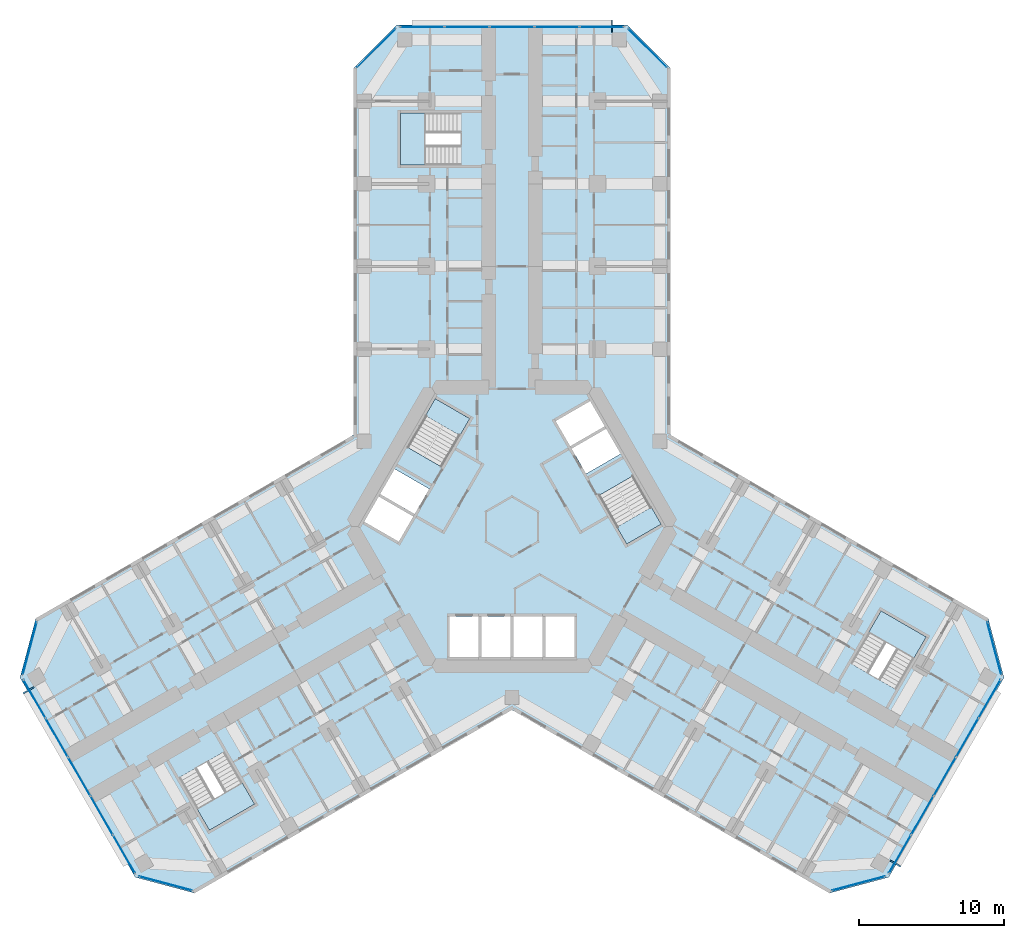
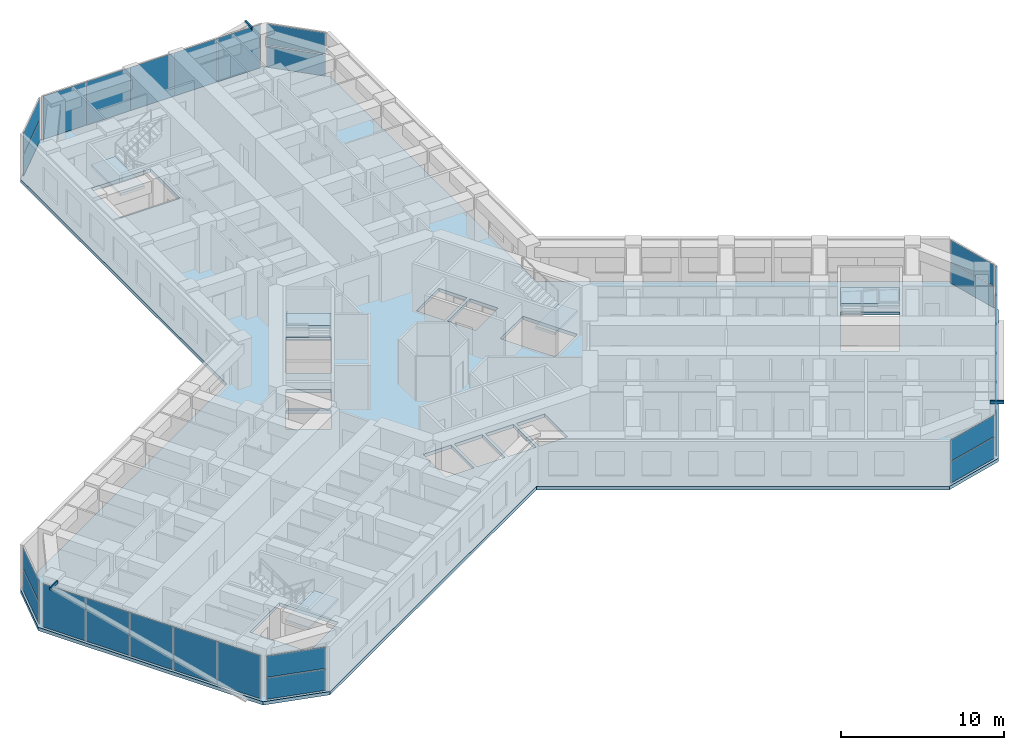
# One storey, part 9 of 21: 27 plates, 6 slabs, 3 members, 14 elements without a shape of their own.
"""IFC4 building model written with IfcOpenShell, lengths in metres."""

from ifc_helpers import new_model, si_unit, direction, frame, origin, origin_2d, place, context, subcontext, project, spatial, polyline, rectangle, hollow_rectangle, outline, extrude, material, layer, layer_set, material_profile, profile_set, type_object, element, aggregate, save


model = new_model("IFC4")

# Units and contexts
model_context = context("Model", 3, precision=1e-05, world=origin(), true_north=direction((0.0, 1.0)))
body_context = subcontext(model_context, "Body", "Model", "MODEL_VIEW")
ifc_project = project(units=[si_unit("LENGTHUNIT", "METRE"), si_unit("AREAUNIT", "SQUARE_METRE"), si_unit("VOLUMEUNIT", "CUBIC_METRE"), si_unit("PLANEANGLEUNIT", "RADIAN"), si_unit("MASSUNIT", "GRAM", prefix="KILO")], contexts=[model_context])

# Site, building, storey
site_placement = place(None, origin())
site = spatial("IfcSite", under=ifc_project, at=site_placement, CompositionType="ELEMENT")
building_placement = place(site_placement, origin())
building = spatial("IfcBuilding", under=site, at=building_placement, Name="Kosmar Iwan School Tower", CompositionType="ELEMENT")
storey_placement = place(building_placement, frame((0.0, 0.0, 57.39990234375)))
storey = spatial("IfcBuildingStorey", under=building, at=storey_placement, Name="L13", CompositionType="ELEMENT", Elevation=57.39990234375)

# Members
ifc_material_1 = material(Name="Steel S355", Category="steel")
ifc_material_profile = material_profile(ifc_material_1, hollow_rectangle(XDim=0.10009765625, YDim=0.199951171875, WallThickness=0.008056640625, at=origin_2d()), Name="RHS 200x100x8")
ifc_profile_set = profile_set([ifc_material_profile], Name="Steel S355")
member_type = type_object("IfcMemberType", Name="Fin bracket RHS 200x100", PredefinedType="USERDEFINED", material=ifc_profile_set)
member_1_placement = place(storey_placement, frame((26.08154296875, -23.025634765625, 3.47509765625), z_axis=(0.865989465428, -0.500062241894, 0.0), x_axis=(0.500062241894, 0.865989465428, 0.0)))
element("IfcMember", 1, at=member_1_placement, inside=storey, type_object=member_type, Name="Fin bracket L14", ObjectType="FIN BRACKET", PredefinedType="USERDEFINED", context=body_context, shape_type="SweptSolid", body=[
    extrude(hollow_rectangle(XDim=0.10009765625, YDim=0.199951171875, WallThickness=0.008056640625, at=origin_2d()), origin(), (0.0, 0.0, 1.0), 0.85009765625),
])
member_2_placement = place(storey_placement, frame((6.89990234375, 34.10009765625, 3.47509765625), z_axis=(0.0, 1.0, 0.0), x_axis=(-1.0, 0.0, 0.0)))
element("IfcMember", 2, at=member_2_placement, inside=storey, type_object=member_type, Name="Fin bracket L14", ObjectType="FIN BRACKET", PredefinedType="USERDEFINED", context=body_context, shape_type="SweptSolid", body=[
    extrude(hollow_rectangle(XDim=0.10009765625, YDim=0.199951171875, WallThickness=0.008056640625, at=origin_2d()), origin(), (0.0, 0.0, 1.0), 0.849853515625),
])
member_3_placement = place(storey_placement, frame((-32.9814453125, -11.074462890625, 3.47509765625), z_axis=(-0.865989465428, -0.500062241894, 0.0), x_axis=(0.500062241894, -0.865989465428, 0.0)))
element("IfcMember", 3, at=member_3_placement, inside=storey, type_object=member_type, Name="Fin bracket L14", ObjectType="FIN BRACKET", PredefinedType="USERDEFINED", context=body_context, shape_type="SweptSolid", body=[
    extrude(hollow_rectangle(XDim=0.10009765625, YDim=0.199951171875, WallThickness=0.008056640625, at=origin_2d()), origin(), (0.0, 0.0, 1.0), 0.85009765625),
])

# Curtain wall, plates
ifc_material_2 = material(Name="Dark glass in black aluminium frame", Category="aluminium")
curtain_wall_type_1 = type_object("IfcCurtainWallType", Name="Chamfer curtain wall dark glass", PredefinedType="USERDEFINED", material=ifc_material_2)
curtain_wall_1_placement = place(storey_placement, origin())
curtain_wall_1 = element("IfcCurtainWall", 4, at=curtain_wall_1_placement, inside=storey, type_object=curtain_wall_type_1, Name="Curtain wall L13-F02", ObjectType="FACETED CURTAIN WALL", PredefinedType="USERDEFINED")
ifc_material_3 = material(Name="Dark glass", Category="glass")
ifc_layer_1 = layer(ifc_material_3, 0.028076171875)
ifc_layer_set_1 = layer_set([ifc_layer_1], Name="Dark glass panel 28")
plate_type = type_object("IfcPlateType", Name="Dark glass panel 28", PredefinedType="CURTAIN_PANEL", material=ifc_layer_set_1)
plate_1_placement = place(storey_placement, frame((23.908203125, -24.61328125, 0.06005859375), z_axis=(0.0, 0.0, 1.0), x_axis=(0.965925875495, 0.258818861462, 0.0)))
plate_1 = element("IfcPlate", 5, at=plate_1_placement, type_object=plate_type, Name="CW2 panel 1.1", PredefinedType="CURTAIN_PANEL", context=body_context, shape_type="SweptSolid", body=[
    extrude(rectangle(XDim=3.718994140625, YDim=0.028076171875, at=origin_2d()), origin(), (0.0, 0.0, 1.0), 1.5849609375),
])
plate_2_placement = place(storey_placement, frame((23.908203125, -24.61328125, 1.705078125), z_axis=(0.0, 0.0, 1.0), x_axis=(0.965925875495, 0.258818861462, 0.0)))
plate_2 = element("IfcPlate", 6, at=plate_2_placement, type_object=plate_type, Name="CW2 panel 1.2", PredefinedType="CURTAIN_PANEL", context=body_context, shape_type="SweptSolid", body=[
    extrude(rectangle(XDim=3.718994140625, YDim=0.028076171875, at=origin_2d()), origin(), (0.0, 0.0, 1.0), 1.5849609375),
])
aggregate(curtain_wall_1, [plate_1, plate_2])

ifc_material_4 = material(Name="Dark glass in black aluminium frame", Category="aluminium")
curtain_wall_type_2 = type_object("IfcCurtainWallType", Name="Tower curtain wall dark glass", PredefinedType="USERDEFINED", material=ifc_material_4)
curtain_wall_2_placement = place(storey_placement, origin())
curtain_wall_2 = element("IfcCurtainWall", 7, at=curtain_wall_2_placement, inside=storey, type_object=curtain_wall_type_2, Name="Curtain wall L13-F03", ObjectType="UNITISED CURTAIN WALL", PredefinedType="USERDEFINED")
plate_3_placement = place(storey_placement, frame((26.764404296875, -22.592529296875, 0.06005859375), z_axis=(0.0, 0.0, 1.0), x_axis=(0.499999997325, 0.866025405329, 0.0)))
plate_3 = element("IfcPlate", 8, at=plate_3_placement, type_object=plate_type, Name="CW1 panel 1.1", PredefinedType="CURTAIN_PANEL", context=body_context, shape_type="SweptSolid", body=[
    extrude(rectangle(XDim=3.00927734375, YDim=0.028076171875, at=origin_2d()), origin(), (0.0, 0.0, 1.0), 3.22998046875),
])
plate_4_placement = place(storey_placement, frame((28.306640625, -19.921630859375, 0.06005859375), z_axis=(0.0, 0.0, 1.0), x_axis=(0.499999997325, 0.866025405329, 0.0)))
plate_4 = element("IfcPlate", 9, at=plate_4_placement, type_object=plate_type, Name="CW1 panel 2.1", PredefinedType="CURTAIN_PANEL", context=body_context, shape_type="SweptSolid", body=[
    extrude(rectangle(XDim=3.039306640625, YDim=0.028076171875, at=origin_2d()), origin(), (0.0, 0.0, 1.0), 3.22998046875),
])
plate_5_placement = place(storey_placement, frame((29.856201171875, -17.237548828125, 0.06005859375), z_axis=(0.0, 0.0, 1.0), x_axis=(0.499999997325, 0.866025405329, 0.0)))
plate_5 = element("IfcPlate", 10, at=plate_5_placement, type_object=plate_type, Name="CW1 panel 3.1", PredefinedType="CURTAIN_PANEL", context=body_context, shape_type="SweptSolid", body=[
    extrude(rectangle(XDim=3.039306640625, YDim=0.028076171875, at=origin_2d()), origin(), (0.0, 0.0, 1.0), 3.22998046875),
])
plate_6_placement = place(storey_placement, frame((31.40576171875, -14.553466796875, 0.06005859375), z_axis=(0.0, 0.0, 1.0), x_axis=(0.499999997325, 0.866025405329, 0.0)))
plate_6 = element("IfcPlate", 11, at=plate_6_placement, type_object=plate_type, Name="CW1 panel 4.1", PredefinedType="CURTAIN_PANEL", context=body_context, shape_type="SweptSolid", body=[
    extrude(rectangle(XDim=3.039306640625, YDim=0.028076171875, at=origin_2d()), origin(), (0.0, 0.0, 1.0), 3.22998046875),
])
plate_7_placement = place(storey_placement, frame((32.947998046875, -11.88232421875, 0.06005859375), z_axis=(0.0, 0.0, 1.0), x_axis=(0.499999997325, 0.866025405329, 0.0)))
plate_7 = element("IfcPlate", 12, at=plate_7_placement, type_object=plate_type, Name="CW1 panel 5.1", PredefinedType="CURTAIN_PANEL", context=body_context, shape_type="SweptSolid", body=[
    extrude(rectangle(XDim=3.00927734375, YDim=0.028076171875, at=origin_2d()), origin(), (0.0, 0.0, 1.0), 3.22998046875),
])
aggregate(curtain_wall_2, [plate_3, plate_4, plate_5, plate_6, plate_7])

curtain_wall_3_placement = place(storey_placement, origin())
curtain_wall_3 = element("IfcCurtainWall", 13, at=curtain_wall_3_placement, inside=storey, type_object=curtain_wall_type_1, Name="Curtain wall L13-F04", ObjectType="FACETED CURTAIN WALL", PredefinedType="USERDEFINED")
plate_8_placement = place(storey_placement, frame((33.269775390625, -8.3984375, 0.06005859375), z_axis=(0.0, 0.0, 1.0), x_axis=(-0.258818861462, 0.965925875495, 0.0)))
plate_8 = element("IfcPlate", 14, at=plate_8_placement, type_object=plate_type, Name="CW2 panel 1.1", PredefinedType="CURTAIN_PANEL", context=body_context, shape_type="SweptSolid", body=[
    extrude(rectangle(XDim=3.718994140625, YDim=0.028076171875, at=origin_2d()), origin(), (0.0, 0.0, 1.0), 1.5849609375),
])
plate_9_placement = place(storey_placement, frame((33.269775390625, -8.3984375, 1.705078125), z_axis=(0.0, 0.0, 1.0), x_axis=(-0.258818861462, 0.965925875495, 0.0)))
plate_9 = element("IfcPlate", 15, at=plate_9_placement, type_object=plate_type, Name="CW2 panel 1.2", PredefinedType="CURTAIN_PANEL", context=body_context, shape_type="SweptSolid", body=[
    extrude(rectangle(XDim=3.718994140625, YDim=0.028076171875, at=origin_2d()), origin(), (0.0, 0.0, 1.0), 1.5849609375),
])
aggregate(curtain_wall_3, [plate_8, plate_9])

curtain_wall_4_placement = place(storey_placement, origin())
curtain_wall_4 = element("IfcCurtainWall", 16, at=curtain_wall_4_placement, inside=storey, type_object=curtain_wall_type_1, Name="Curtain wall L13-F07", ObjectType="FACETED CURTAIN WALL", PredefinedType="USERDEFINED")
plate_10_placement = place(storey_placement, frame((9.361572265625, 33.01171875, 0.06005859375), z_axis=(0.0, 0.0, 1.0), x_axis=(-0.707106781187, 0.707106781187, 0.0)))
plate_10 = element("IfcPlate", 17, at=plate_10_placement, type_object=plate_type, Name="CW2 panel 1.1", PredefinedType="CURTAIN_PANEL", context=body_context, shape_type="SweptSolid", body=[
    extrude(rectangle(XDim=3.718994140625, YDim=0.028076171875, at=origin_2d()), origin(), (0.0, 0.0, 1.0), 1.5849609375),
])
plate_11_placement = place(storey_placement, frame((9.361572265625, 33.01171875, 1.705078125), z_axis=(0.0, 0.0, 1.0), x_axis=(-0.707106781187, 0.707106781187, 0.0)))
plate_11 = element("IfcPlate", 18, at=plate_11_placement, type_object=plate_type, Name="CW2 panel 1.2", PredefinedType="CURTAIN_PANEL", context=body_context, shape_type="SweptSolid", body=[
    extrude(rectangle(XDim=3.718994140625, YDim=0.028076171875, at=origin_2d()), origin(), (0.0, 0.0, 1.0), 1.5849609375),
])
aggregate(curtain_wall_4, [plate_10, plate_11])

curtain_wall_5_placement = place(storey_placement, origin())
curtain_wall_5 = element("IfcCurtainWall", 19, at=curtain_wall_5_placement, inside=storey, type_object=curtain_wall_type_2, Name="Curtain wall L13-F08", ObjectType="UNITISED CURTAIN WALL", PredefinedType="USERDEFINED")
plate_12_placement = place(storey_placement, frame((6.18359375, 34.47509765625, 0.06005859375), z_axis=(0.0, 0.0, 1.0), x_axis=(-1.0, 0.0, 0.0)))
plate_12 = element("IfcPlate", 20, at=plate_12_placement, type_object=plate_type, Name="CW1 panel 1.1", PredefinedType="CURTAIN_PANEL", context=body_context, shape_type="SweptSolid", body=[
    extrude(rectangle(XDim=3.00927734375, YDim=0.028076171875, at=origin_2d()), origin(), (0.0, 0.0, 1.0), 3.22998046875),
])
plate_13_placement = place(storey_placement, frame((3.099365234375, 34.47509765625, 0.06005859375), z_axis=(0.0, 0.0, 1.0), x_axis=(-1.0, 0.0, 0.0)))
plate_13 = element("IfcPlate", 21, at=plate_13_placement, type_object=plate_type, Name="CW1 panel 2.1", PredefinedType="CURTAIN_PANEL", context=body_context, shape_type="SweptSolid", body=[
    extrude(rectangle(XDim=3.039306640625, YDim=0.028076171875, at=origin_2d()), origin(), (0.0, 0.0, 1.0), 3.22998046875),
])
plate_14_placement = place(storey_placement, frame((0.0, 34.47509765625, 0.06005859375), z_axis=(0.0, 0.0, 1.0), x_axis=(-1.0, 0.0, 0.0)))
plate_14 = element("IfcPlate", 22, at=plate_14_placement, type_object=plate_type, Name="CW1 panel 3.1", PredefinedType="CURTAIN_PANEL", context=body_context, shape_type="SweptSolid", body=[
    extrude(rectangle(XDim=3.039306640625, YDim=0.028076171875, at=origin_2d()), origin(), (0.0, 0.0, 1.0), 3.22998046875),
])
plate_15_placement = place(storey_placement, frame((-3.099365234375, 34.47509765625, 0.06005859375), z_axis=(0.0, 0.0, 1.0), x_axis=(-1.0, 0.0, 0.0)))
plate_15 = element("IfcPlate", 23, at=plate_15_placement, type_object=plate_type, Name="CW1 panel 4.1", PredefinedType="CURTAIN_PANEL", context=body_context, shape_type="SweptSolid", body=[
    extrude(rectangle(XDim=3.039306640625, YDim=0.028076171875, at=origin_2d()), origin(), (0.0, 0.0, 1.0), 3.22998046875),
])
plate_16_placement = place(storey_placement, frame((-6.18359375, 34.47509765625, 0.06005859375), z_axis=(0.0, 0.0, 1.0), x_axis=(-1.0, 0.0, 0.0)))
plate_16 = element("IfcPlate", 24, at=plate_16_placement, type_object=plate_type, Name="CW1 panel 5.1", PredefinedType="CURTAIN_PANEL", context=body_context, shape_type="SweptSolid", body=[
    extrude(rectangle(XDim=3.00927734375, YDim=0.028076171875, at=origin_2d()), origin(), (0.0, 0.0, 1.0), 3.22998046875),
])
aggregate(curtain_wall_5, [plate_12, plate_13, plate_14, plate_15, plate_16])

curtain_wall_6_placement = place(storey_placement, origin())
curtain_wall_6 = element("IfcCurtainWall", 25, at=curtain_wall_6_placement, inside=storey, type_object=curtain_wall_type_1, Name="Curtain wall L13-F09", ObjectType="FACETED CURTAIN WALL", PredefinedType="USERDEFINED")
plate_17_placement = place(storey_placement, frame((-9.361572265625, 33.01171875, 0.06005859375), z_axis=(0.0, 0.0, 1.0), x_axis=(-0.707106781187, -0.707106781187, 0.0)))
plate_17 = element("IfcPlate", 26, at=plate_17_placement, type_object=plate_type, Name="CW2 panel 1.1", PredefinedType="CURTAIN_PANEL", context=body_context, shape_type="SweptSolid", body=[
    extrude(rectangle(XDim=3.718994140625, YDim=0.028076171875, at=origin_2d()), origin(), (0.0, 0.0, 1.0), 1.5849609375),
])
plate_18_placement = place(storey_placement, frame((-9.361572265625, 33.01171875, 1.705078125), z_axis=(0.0, 0.0, 1.0), x_axis=(-0.707106781187, -0.707106781187, 0.0)))
plate_18 = element("IfcPlate", 27, at=plate_18_placement, type_object=plate_type, Name="CW2 panel 1.2", PredefinedType="CURTAIN_PANEL", context=body_context, shape_type="SweptSolid", body=[
    extrude(rectangle(XDim=3.718994140625, YDim=0.028076171875, at=origin_2d()), origin(), (0.0, 0.0, 1.0), 1.5849609375),
])
aggregate(curtain_wall_6, [plate_17, plate_18])

curtain_wall_7_placement = place(storey_placement, origin())
curtain_wall_7 = element("IfcCurtainWall", 28, at=curtain_wall_7_placement, inside=storey, type_object=curtain_wall_type_1, Name="Curtain wall L13-F12", ObjectType="FACETED CURTAIN WALL", PredefinedType="USERDEFINED")
plate_19_placement = place(storey_placement, frame((-33.269775390625, -8.3984375, 0.06005859375), z_axis=(0.0, 0.0, 1.0), x_axis=(-0.258818861462, -0.965925875495, 0.0)))
plate_19 = element("IfcPlate", 29, at=plate_19_placement, type_object=plate_type, Name="CW2 panel 1.1", PredefinedType="CURTAIN_PANEL", context=body_context, shape_type="SweptSolid", body=[
    extrude(rectangle(XDim=3.718994140625, YDim=0.028076171875, at=origin_2d()), origin(), (0.0, 0.0, 1.0), 1.5849609375),
])
plate_20_placement = place(storey_placement, frame((-33.269775390625, -8.3984375, 1.705078125), z_axis=(0.0, 0.0, 1.0), x_axis=(-0.258818861462, -0.965925875495, 0.0)))
plate_20 = element("IfcPlate", 30, at=plate_20_placement, type_object=plate_type, Name="CW2 panel 1.2", PredefinedType="CURTAIN_PANEL", context=body_context, shape_type="SweptSolid", body=[
    extrude(rectangle(XDim=3.718994140625, YDim=0.028076171875, at=origin_2d()), origin(), (0.0, 0.0, 1.0), 1.5849609375),
])
aggregate(curtain_wall_7, [plate_19, plate_20])

curtain_wall_8_placement = place(storey_placement, origin())
curtain_wall_8 = element("IfcCurtainWall", 31, at=curtain_wall_8_placement, inside=storey, type_object=curtain_wall_type_2, Name="Curtain wall L13-F13", ObjectType="UNITISED CURTAIN WALL", PredefinedType="USERDEFINED")
plate_21_placement = place(storey_placement, frame((-32.947998046875, -11.88232421875, 0.06005859375), z_axis=(0.0, 0.0, 1.0), x_axis=(0.499999997325, -0.866025405329, 0.0)))
plate_21 = element("IfcPlate", 32, at=plate_21_placement, type_object=plate_type, Name="CW1 panel 1.1", PredefinedType="CURTAIN_PANEL", context=body_context, shape_type="SweptSolid", body=[
    extrude(rectangle(XDim=3.00927734375, YDim=0.028076171875, at=origin_2d()), origin(), (0.0, 0.0, 1.0), 3.22998046875),
])
plate_22_placement = place(storey_placement, frame((-31.40576171875, -14.553466796875, 0.06005859375), z_axis=(0.0, 0.0, 1.0), x_axis=(0.499999997325, -0.866025405329, 0.0)))
plate_22 = element("IfcPlate", 33, at=plate_22_placement, type_object=plate_type, Name="CW1 panel 2.1", PredefinedType="CURTAIN_PANEL", context=body_context, shape_type="SweptSolid", body=[
    extrude(rectangle(XDim=3.039306640625, YDim=0.028076171875, at=origin_2d()), origin(), (0.0, 0.0, 1.0), 3.22998046875),
])
plate_23_placement = place(storey_placement, frame((-29.856201171875, -17.237548828125, 0.06005859375), z_axis=(0.0, 0.0, 1.0), x_axis=(0.499999997325, -0.866025405329, 0.0)))
plate_23 = element("IfcPlate", 34, at=plate_23_placement, type_object=plate_type, Name="CW1 panel 3.1", PredefinedType="CURTAIN_PANEL", context=body_context, shape_type="SweptSolid", body=[
    extrude(rectangle(XDim=3.039306640625, YDim=0.028076171875, at=origin_2d()), origin(), (0.0, 0.0, 1.0), 3.22998046875),
])
plate_24_placement = place(storey_placement, frame((-28.306640625, -19.921630859375, 0.06005859375), z_axis=(0.0, 0.0, 1.0), x_axis=(0.499999997325, -0.866025405329, 0.0)))
plate_24 = element("IfcPlate", 35, at=plate_24_placement, type_object=plate_type, Name="CW1 panel 4.1", PredefinedType="CURTAIN_PANEL", context=body_context, shape_type="SweptSolid", body=[
    extrude(rectangle(XDim=3.039306640625, YDim=0.028076171875, at=origin_2d()), origin(), (0.0, 0.0, 1.0), 3.22998046875),
])
plate_25_placement = place(storey_placement, frame((-26.764404296875, -22.592529296875, 0.06005859375), z_axis=(0.0, 0.0, 1.0), x_axis=(0.499999997325, -0.866025405329, 0.0)))
plate_25 = element("IfcPlate", 36, at=plate_25_placement, type_object=plate_type, Name="CW1 panel 5.1", PredefinedType="CURTAIN_PANEL", context=body_context, shape_type="SweptSolid", body=[
    extrude(rectangle(XDim=3.00927734375, YDim=0.028076171875, at=origin_2d()), origin(), (0.0, 0.0, 1.0), 3.22998046875),
])
aggregate(curtain_wall_8, [plate_21, plate_22, plate_23, plate_24, plate_25])

curtain_wall_9_placement = place(storey_placement, origin())
curtain_wall_9 = element("IfcCurtainWall", 37, at=curtain_wall_9_placement, inside=storey, type_object=curtain_wall_type_1, Name="Curtain wall L13-F14", ObjectType="FACETED CURTAIN WALL", PredefinedType="USERDEFINED")
plate_26_placement = place(storey_placement, frame((-23.908203125, -24.61328125, 0.06005859375), z_axis=(0.0, 0.0, 1.0), x_axis=(0.965925875495, -0.258818861462, 0.0)))
plate_26 = element("IfcPlate", 38, at=plate_26_placement, type_object=plate_type, Name="CW2 panel 1.1", PredefinedType="CURTAIN_PANEL", context=body_context, shape_type="SweptSolid", body=[
    extrude(rectangle(XDim=3.718994140625, YDim=0.028076171875, at=origin_2d()), origin(), (0.0, 0.0, 1.0), 1.5849609375),
])
plate_27_placement = place(storey_placement, frame((-23.908203125, -24.61328125, 1.705078125), z_axis=(0.0, 0.0, 1.0), x_axis=(0.965925875495, -0.258818861462, 0.0)))
plate_27 = element("IfcPlate", 39, at=plate_27_placement, type_object=plate_type, Name="CW2 panel 1.2", PredefinedType="CURTAIN_PANEL", context=body_context, shape_type="SweptSolid", body=[
    extrude(rectangle(XDim=3.718994140625, YDim=0.028076171875, at=origin_2d()), origin(), (0.0, 0.0, 1.0), 1.5849609375),
])
aggregate(curtain_wall_9, [plate_26, plate_27])

# Stair, slab
ifc_material_5 = material(Name="Concrete C35/45", Category="concrete")
stair_type_1 = type_object("IfcStairType", Name="Escape stair 3600", PredefinedType="HALF_TURN_STAIR", material=ifc_material_5)
stair_1_placement = place(storey_placement, origin())
stair_1 = element("IfcStair", 40, at=stair_1_placement, inside=storey, type_object=stair_type_1, Name="Stair WS1 L13", PredefinedType="HALF_TURN_STAIR")
ifc_material_6 = material(Name="Concrete C35/45", Category="concrete")
ifc_layer_2 = layer(ifc_material_6, 0.199951171875)
ifc_layer_set_2 = layer_set([ifc_layer_2], Name="Escape stair landing 200")
slab_type_1 = type_object("IfcSlabType", Name="Escape stair landing 200", PredefinedType="LANDING", material=ifc_layer_set_2)
slab_1_placement = place(storey_placement, frame((0.0, 0.0, 1.60009765625)))
slab_1 = element("IfcSlab", 41, at=slab_1_placement, type_object=slab_type_1, Name="WS1 landing 1", PredefinedType="LANDING", context=body_context, shape_type="SweptSolid", body=[
    extrude(outline(polyline([(-6.0, 24.949951171875), (-6.0, 28.550048828125), (-7.699951171875, 28.550048828125), (-7.699951171875, 24.949951171875), (-6.0, 24.949951171875)])), origin(), (0.0, 0.0, 1.0), 0.199951171875),
])
aggregate(stair_1, [slab_1])

stair_2_placement = place(storey_placement, origin())
stair_2 = element("IfcStair", 42, at=stair_2_placement, inside=storey, type_object=stair_type_1, Name="Stair WS2 L13", PredefinedType="HALF_TURN_STAIR")
slab_2_placement = place(storey_placement, frame((0.0, 0.0, 1.60009765625)))
slab_2 = element("IfcSlab", 43, at=slab_2_placement, type_object=slab_type_1, Name="WS2 landing 1", PredefinedType="LANDING", context=body_context, shape_type="SweptSolid", body=[
    extrude(outline(polyline([(-18.607421875, -17.671142578125), (-21.72509765625, -19.47119140625), (-20.875, -20.943359375), (-17.75732421875, -19.143310546875), (-18.607421875, -17.671142578125)])), origin(), (0.0, 0.0, 1.0), 0.199951171875),
])
aggregate(stair_2, [slab_2])

stair_3_placement = place(storey_placement, origin())
stair_3 = element("IfcStair", 44, at=stair_3_placement, inside=storey, type_object=stair_type_1, Name="Stair WS3 L13", PredefinedType="HALF_TURN_STAIR")
slab_3_placement = place(storey_placement, frame((0.0, 0.0, 1.60009765625)))
slab_3 = element("IfcSlab", 45, at=slab_3_placement, type_object=slab_type_1, Name="WS3 landing 1", PredefinedType="LANDING", context=body_context, shape_type="SweptSolid", body=[
    extrude(outline(polyline([(24.607421875, -7.27880859375), (27.72509765625, -9.078857421875), (28.574951171875, -7.606689453125), (25.457275390625, -5.806640625), (24.607421875, -7.27880859375)])), origin(), (0.0, 0.0, 1.0), 0.199951171875),
])
aggregate(stair_3, [slab_3])

# Slab
ifc_material_7 = material(Name="Concrete C35/45", Category="concrete")
ifc_layer_3 = layer(ifc_material_7, 0.25)
ifc_layer_set_3 = layer_set([ifc_layer_3], Name="Floor slab 250")
slab_type_2 = type_object("IfcSlabType", Name="Floor slab 250", PredefinedType="FLOOR", material=ifc_layer_set_3)
slab_4_placement = place(storey_placement, frame((0.0, 0.0, -0.25)))
element("IfcSlab", 46, at=slab_4_placement, inside=storey, type_object=slab_type_2, Name="L13 floor slab", PredefinedType="FLOOR", context=body_context, shape_type="SweptSolid", body=[
    extrude(outline(polyline([(-21.891357421875, -25.282958984375), (0.0, -12.64404296875), (21.891357421875, -25.282958984375), (25.989501953125, -24.184814453125), (33.939453125, -10.4150390625), (32.84130859375, -6.317138671875), (10.949951171875, 6.322021484375), (10.949951171875, 31.60009765625), (7.949951171875, 34.60009765625), (-7.949951171875, 34.60009765625), (-10.949951171875, 31.60009765625), (-10.949951171875, 6.322021484375), (-32.84130859375, -6.317138671875), (-33.939453125, -10.4150390625), (-25.989501953125, -24.184814453125), (-21.891357421875, -25.282958984375)]), holes=[polyline([(7.91259765625, -1.205078125), (10.294189453125, 0.169921875), (8.3642578125, 3.5126953125), (5.982666015625, 2.1376953125), (7.91259765625, -1.205078125)]), polyline([(-2.91259765625, 7.455078125), (-5.294189453125, 8.830078125), (-7.22412109375, 5.4873046875), (-4.8427734375, 4.1123046875), (-2.91259765625, 7.455078125)]), polyline([(-5.712646484375, 2.60546875), (-8.09423828125, 3.98046875), (-9.09423828125, 2.248291015625), (-6.712646484375, 0.873291015625), (-5.712646484375, 2.60546875)]), polyline([(-6.812744140625, 0.7001953125), (-9.1943359375, 2.0751953125), (-10.1943359375, 0.343017578125), (-7.812744140625, -1.031982421875), (-6.812744140625, 0.7001953125)]), polyline([(5.112548828125, 3.64453125), (7.494140625, 5.01953125), (6.494140625, 6.751708984375), (4.112548828125, 5.376708984375), (5.112548828125, 3.64453125)]), polyline([(4.0126953125, 5.5498046875), (6.394287109375, 6.9248046875), (5.394287109375, 8.656982421875), (3.0126953125, 7.281982421875), (4.0126953125, 5.5498046875)]), polyline([(-4.300048828125, -6.199951171875), (-4.300048828125, -9.0), (-2.300048828125, -9.0), (-2.300048828125, -6.199951171875), (-4.300048828125, -6.199951171875)]), polyline([(-2.10009765625, -6.199951171875), (-2.10009765625, -9.0), (-0.10009765625, -9.0), (-0.10009765625, -6.199951171875), (-2.10009765625, -6.199951171875)]), polyline([(0.10009765625, -6.199951171875), (0.10009765625, -9.0), (2.10009765625, -9.0), (2.10009765625, -6.199951171875), (0.10009765625, -6.199951171875)]), polyline([(2.300048828125, -6.199951171875), (2.300048828125, -9.0), (4.300048828125, -9.0), (4.300048828125, -6.199951171875), (2.300048828125, -6.199951171875)]), polyline([(-3.52001953125, 24.949951171875), (-3.52001953125, 28.550048828125), (-7.699951171875, 28.550048828125), (-7.699951171875, 24.949951171875), (-3.52001953125, 24.949951171875)]), polyline([(-19.847412109375, -15.5234375), (-22.965087890625, -17.323486328125), (-20.875, -20.943359375), (-17.75732421875, -19.143310546875), (-19.847412109375, -15.5234375)]), polyline([(23.367431640625, -9.426513671875), (26.485107421875, -11.2265625), (28.574951171875, -7.606689453125), (25.457275390625, -5.806640625), (23.367431640625, -9.426513671875)])]), origin(), (0.0, 0.0, 1.0), 0.25),
])

# Stair, slab
ifc_material_8 = material(Name="Concrete C35/45", Category="concrete")
stair_type_2 = type_object("IfcStairType", Name="Core stair 2750", PredefinedType="HALF_TURN_STAIR", material=ifc_material_8)
stair_4_placement = place(storey_placement, origin())
stair_4 = element("IfcStair", 47, at=stair_4_placement, inside=storey, type_object=stair_type_2, Name="Stair ST2 L13", PredefinedType="HALF_TURN_STAIR")
ifc_material_9 = material(Name="Concrete C35/45", Category="concrete")
ifc_layer_4 = layer(ifc_material_9, 0.199951171875)
ifc_layer_set_4 = layer_set([ifc_layer_4], Name="Stair landing 200")
slab_type_3 = type_object("IfcSlabType", Name="Stair landing 200", PredefinedType="LANDING", material=ifc_layer_set_4)
slab_5_placement = place(storey_placement, frame((0.0, 0.0, 1.60009765625)))
slab_5 = element("IfcSlab", 48, at=slab_5_placement, type_object=slab_type_3, Name="ST2 landing 1", PredefinedType="LANDING", context=body_context, shape_type="SweptSolid", body=[
    extrude(outline(polyline([(-2.91259765625, 7.455078125), (-5.294189453125, 8.830078125), (-5.97412109375, 7.65234375), (-3.5927734375, 6.27734375), (-2.91259765625, 7.455078125)])), origin(), (0.0, 0.0, 1.0), 0.199951171875),
])
aggregate(stair_4, [slab_5])

stair_5_placement = place(storey_placement, origin())
stair_5 = element("IfcStair", 49, at=stair_5_placement, inside=storey, type_object=stair_type_2, Name="Stair ST1 L13", PredefinedType="HALF_TURN_STAIR")
slab_6_placement = place(storey_placement, frame((0.0, 0.0, 1.60009765625)))
slab_6 = element("IfcSlab", 50, at=slab_6_placement, type_object=slab_type_3, Name="ST1 landing 1", PredefinedType="LANDING", context=body_context, shape_type="SweptSolid", body=[
    extrude(outline(polyline([(7.91259765625, -1.205078125), (10.294189453125, 0.169921875), (9.6142578125, 1.34765625), (7.232666015625, -0.02734375), (7.91259765625, -1.205078125)])), origin(), (0.0, 0.0, 1.0), 0.199951171875),
])
aggregate(stair_5, [slab_6])

save(model, "model.ifc")
